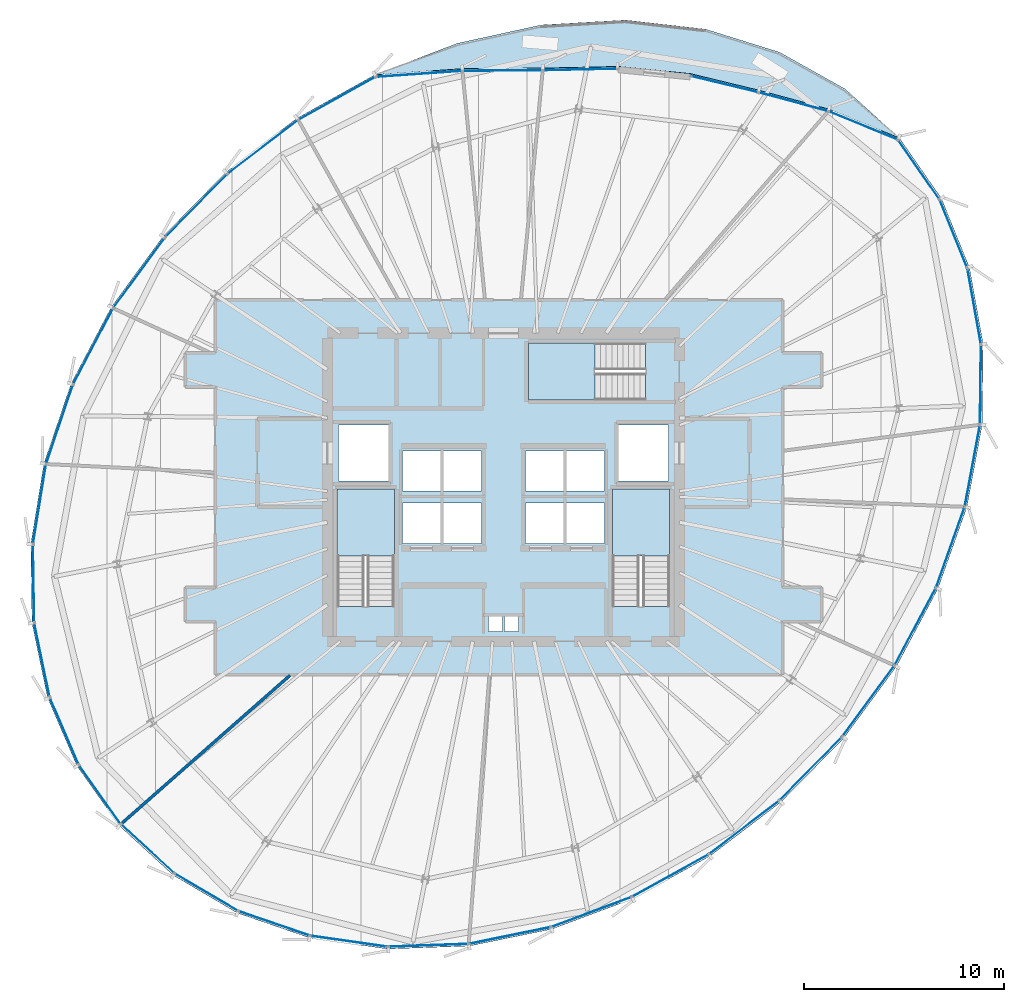
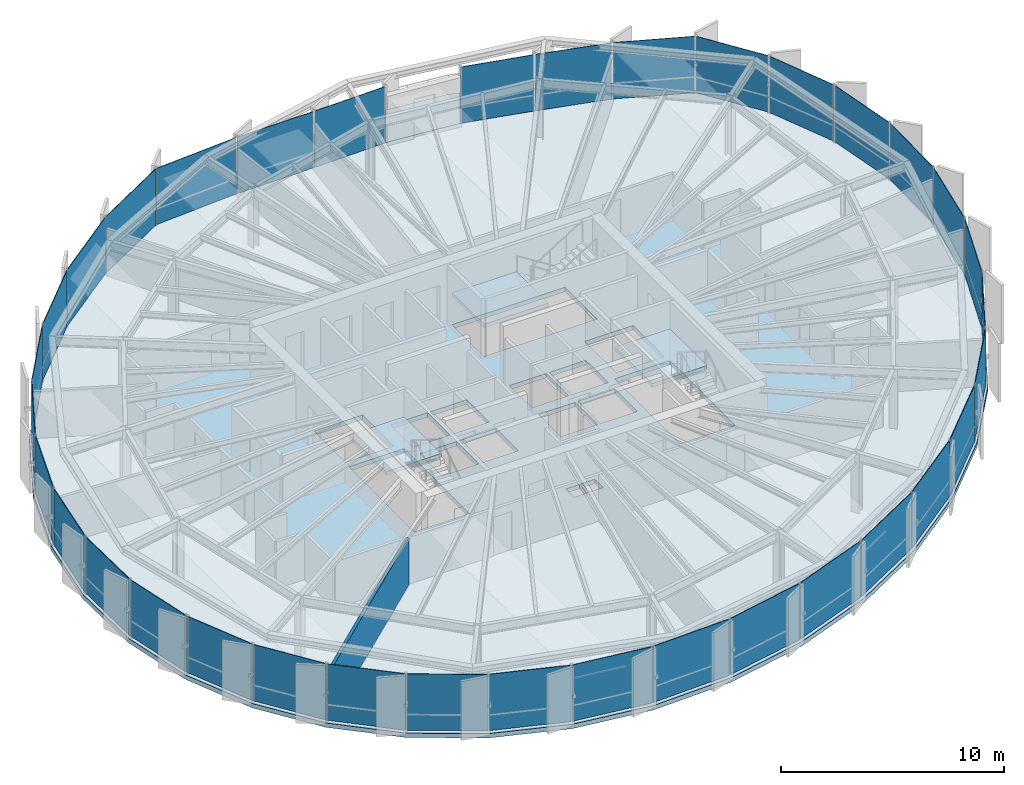
# One storey, part 31 of 37: 35 plates, 5 slabs, 1 wall, 10 elements without a shape of their own.
"""IFC4 building model written with IfcOpenShell, lengths in metres."""

from ifc_helpers import new_model, si_unit, direction, frame, frame_2d, origin, origin_2d, place, context, subcontext, project, spatial, polyline, rectangle, outline, extrude, source, transform, mapped, material, layer, layer_set, type_object, element, aggregate, save


model = new_model("IFC4")

# Units and contexts
model_context = context("Model", 3, precision=1e-05, world=origin(), true_north=direction((0.0, 1.0)))
body_context = subcontext(model_context, "Body", "Model", "MODEL_VIEW")
ifc_project = project(units=[si_unit("LENGTHUNIT", "METRE"), si_unit("AREAUNIT", "SQUARE_METRE"), si_unit("VOLUMEUNIT", "CUBIC_METRE"), si_unit("PLANEANGLEUNIT", "RADIAN"), si_unit("MASSUNIT", "GRAM", prefix="KILO"), si_unit("THERMODYNAMICTEMPERATUREUNIT", "KELVIN")], contexts=[model_context])

# Site, building, storey
site_placement = place(None, origin())
site = spatial("IfcSite", under=ifc_project, at=site_placement, CompositionType="ELEMENT")
building_placement = place(site_placement, origin())
building = spatial("IfcBuilding", under=site, at=building_placement, Name="Kethvar Cultural Tower", CompositionType="ELEMENT")
storey_placement = place(building_placement, frame((0.0, 0.0, 200.89990234375)))
storey = spatial("IfcBuildingStorey", under=building, at=storey_placement, Name="L52", CompositionType="ELEMENT", Elevation=200.89990234375)

# Stair, slab
ifc_material_1 = material(Name="Concrete C40/50", Category="concrete")
stair_type = type_object("IfcStairType", Name="ST-DOGLEG-135", PredefinedType="HALF_TURN_STAIR", material=ifc_material_1)
stair_1_placement = place(storey_placement, origin())
stair_1 = element("IfcStair", 1, at=stair_1_placement, inside=storey, type_object=stair_type, Name="L52 Core Exit Stair 1", PredefinedType="HALF_TURN_STAIR")
ifc_layer_1 = layer(ifc_material_1, 0.199951171875, Name="Concrete C40/50", Category="concrete")
ifc_layer_set_1 = layer_set([ifc_layer_1], Name="Concrete C40/50 (200 mm)")
slab_type_1 = type_object("IfcSlabType", Name="SL-STAIR-LANDING-200", PredefinedType="LANDING", material=ifc_layer_set_1)
slab_1_placement = place(storey_placement, frame((0.0, 0.0, 1.550048828125)))
slab_1 = element("IfcSlab", 2, at=slab_1_placement, type_object=slab_type_1, Name="ST-01 landing 1", PredefinedType="LANDING", context=body_context, shape_type="SweptSolid", body=[
    extrude(outline(polyline([(41.35009765625, 24.3701171875), (41.35009765625, 27.699951171875), (38.489990234375, 27.699951171875), (38.489990234375, 24.3701171875), (41.35009765625, 24.3701171875)])), origin(), (0.0, 0.0, 1.0), 0.199951171875),
])
aggregate(stair_1, [slab_1])

stair_2_placement = place(storey_placement, origin())
stair_2 = element("IfcStair", 3, at=stair_2_placement, inside=storey, type_object=stair_type, Name="L52 Core Exit Stair 2", PredefinedType="HALF_TURN_STAIR")
slab_2_placement = place(storey_placement, frame((0.0, 0.0, 1.550048828125)))
slab_2 = element("IfcSlab", 4, at=slab_2_placement, type_object=slab_type_1, Name="ST-02 landing 1", PredefinedType="LANDING", context=body_context, shape_type="SweptSolid", body=[
    extrude(outline(polyline([(55.110107421875, 24.3701171875), (55.110107421875, 27.699951171875), (52.25, 27.699951171875), (52.25, 24.3701171875), (55.110107421875, 24.3701171875)])), origin(), (0.0, 0.0, 1.0), 0.199951171875),
])
aggregate(stair_2, [slab_2])

stair_3_placement = place(storey_placement, origin())
stair_3 = element("IfcStair", 5, at=stair_3_placement, inside=storey, type_object=stair_type, Name="L52 Core Exit Stair 3", PredefinedType="HALF_TURN_STAIR")
slab_3_placement = place(storey_placement, frame((0.0, 0.0, 1.550048828125)))
slab_3 = element("IfcSlab", 6, at=slab_3_placement, type_object=slab_type_1, Name="ST-03 landing 1", PredefinedType="LANDING", context=body_context, shape_type="SweptSolid", body=[
    extrude(outline(polyline([(51.3798828125, 35.010009765625), (48.050048828125, 35.010009765625), (48.050048828125, 32.14990234375), (51.3798828125, 32.14990234375), (51.3798828125, 35.010009765625)])), origin(), (0.0, 0.0, 1.0), 0.199951171875),
])
aggregate(stair_3, [slab_3])

# Slabs
ifc_layer_2 = layer(ifc_material_1, 0.215087890625, Name="Concrete C40/50", Category="concrete")
ifc_layer_set_2 = layer_set([ifc_layer_2], Name="Concrete C40/50 (215 mm)")
slab_type_2 = type_object("IfcSlabType", Name="SL-TER-EXT", PredefinedType="FLOOR", material=ifc_layer_set_2)
slab_4_placement = place(storey_placement, frame((0.0, 0.0, -0.21484375)))
element("IfcSlab", 7, at=slab_4_placement, inside=storey, type_object=slab_type_2, Name="L52 Spiralling Sky Terrace Deck", PredefinedType="FLOOR", context=body_context, shape_type="SweptSolid", body=[
    extrude(outline(polyline([(66.598388671875, 45.254638671875), (63.874755859375, 47.71044921875), (60.608642578125, 49.54052734375), (56.907470703125, 50.6962890625), (52.896240234375, 51.15380859375), (48.710205078125, 50.910888671875), (44.489013671875, 49.986083984375), (40.368896484375, 48.414306640625), (44.744384765625, 48.718994140625), (48.762939453125, 48.749755859375), (52.544921875, 48.830078125), (56.157958984375, 48.468994140625), (59.573486328125, 47.642333984375), (63.068359375, 46.700439453125), (66.598388671875, 45.254638671875)])), origin(), (0.0, 0.0, 1.0), 0.21484375),
])
ifc_layer_3 = layer(ifc_material_1, 0.239990234375, Name="Concrete C40/50", Category="concrete")
ifc_layer_set_3 = layer_set([ifc_layer_3], Name="Concrete C40/50 (240 mm)")
slab_type_3 = type_object("IfcSlabType", Name="SL-TOW-240", PredefinedType="FLOOR", material=ifc_layer_set_3)
slab_5_placement = place(storey_placement, frame((0.0, 0.0, -0.239990234375)))
element("IfcSlab", 8, at=slab_5_placement, inside=storey, type_object=slab_type_3, Name="L52 Structural Floor Slab", PredefinedType="FLOOR", context=body_context, shape_type="SweptSolid", body=[
    extrude(outline(polyline([(66.598388671875, 45.254638671875), (63.068359375, 46.700439453125), (59.573486328125, 47.642333984375), (56.157958984375, 48.468994140625), (52.544921875, 48.830078125), (48.762939453125, 48.749755859375), (44.744384765625, 48.718994140625), (40.368896484375, 48.414306640625), (36.476806640625, 46.244873046875), (32.9248046875, 43.538330078125), (29.802001953125, 40.360107421875), (27.1953125, 36.80029296875), (25.1845703125, 32.967041015625), (23.83056640625, 28.976806640625), (23.174560546875, 24.95068359375), (23.236083984375, 21.01123046875), (24.013916015625, 17.278076171875), (25.48388671875, 13.864501953125), (27.601806640625, 10.87451171875), (30.302734375, 8.398681640625), (33.505126953125, 6.512451171875), (37.111328125, 5.27294921875), (41.011962890625, 4.718017578125), (45.088623046875, 4.8642578125), (49.217041015625, 5.70751953125), (53.272216796875, 7.221923828125), (57.130615234375, 9.36181640625), (60.675048828125, 12.061767578125), (63.8056640625, 15.24658203125), (66.445556640625, 18.8359375), (68.521484375, 22.7265625), (69.96826171875, 26.798583984375), (70.733642578125, 30.921142578125), (70.78271484375, 34.9580078125), (70.099609375, 38.77490234375), (68.693603515625, 42.24462890625), (66.598388671875, 45.254638671875)]), holes=[polyline([(38.489990234375, 21.85009765625), (38.489990234375, 27.699951171875), (41.35009765625, 27.699951171875), (41.35009765625, 21.85009765625), (38.489990234375, 21.85009765625)]), polyline([(52.25, 21.85009765625), (52.25, 27.699951171875), (55.110107421875, 27.699951171875), (55.110107421875, 21.85009765625), (52.25, 21.85009765625)]), polyline([(53.89990234375, 32.14990234375), (48.050048828125, 32.14990234375), (48.050048828125, 35.010009765625), (53.89990234375, 35.010009765625), (53.89990234375, 32.14990234375)]), polyline([(41.75, 27.0), (43.64990234375, 27.0), (43.64990234375, 25.0), (41.75, 25.0), (41.75, 27.0)]), polyline([(43.800048828125, 27.0), (45.699951171875, 27.0), (45.699951171875, 25.0), (43.800048828125, 25.0), (43.800048828125, 27.0)]), polyline([(47.89990234375, 27.0), (49.800048828125, 27.0), (49.800048828125, 25.0), (47.89990234375, 25.0), (47.89990234375, 27.0)]), polyline([(49.949951171875, 27.0), (51.85009765625, 27.0), (51.85009765625, 25.0), (49.949951171875, 25.0), (49.949951171875, 27.0)]), polyline([(41.75, 29.60009765625), (43.64990234375, 29.60009765625), (43.64990234375, 27.60009765625), (41.75, 27.60009765625), (41.75, 29.60009765625)]), polyline([(43.800048828125, 29.60009765625), (45.699951171875, 29.60009765625), (45.699951171875, 27.60009765625), (43.800048828125, 27.60009765625), (43.800048828125, 29.60009765625)]), polyline([(47.89990234375, 29.60009765625), (49.800048828125, 29.60009765625), (49.800048828125, 27.60009765625), (47.89990234375, 27.60009765625), (47.89990234375, 29.60009765625)]), polyline([(49.949951171875, 29.60009765625), (51.85009765625, 29.60009765625), (51.85009765625, 27.60009765625), (49.949951171875, 27.60009765625), (49.949951171875, 29.60009765625)]), polyline([(38.550048828125, 30.89990234375), (41.050048828125, 30.89990234375), (41.050048828125, 28.10009765625), (38.550048828125, 28.10009765625), (38.550048828125, 30.89990234375)]), polyline([(52.550048828125, 30.89990234375), (55.050048828125, 30.89990234375), (55.050048828125, 28.10009765625), (52.550048828125, 28.10009765625), (52.550048828125, 30.89990234375)]), polyline([(46.050048828125, 21.35009765625), (46.75, 21.35009765625), (46.75, 20.60009765625), (46.050048828125, 20.60009765625), (46.050048828125, 21.35009765625)]), polyline([(46.85009765625, 21.35009765625), (47.550048828125, 21.35009765625), (47.550048828125, 20.60009765625), (46.85009765625, 20.60009765625), (46.85009765625, 21.35009765625)])]), origin(), (0.0, 0.0, 1.0), 0.239990234375),
])

# Curtain wall, plate
ifc_material_2 = material(Name="Aluminium 6063-T6", Category="aluminium")
ifc_layer_4 = layer(ifc_material_2, 0.179931640625, Name="Aluminium 6063-T6", Category="aluminium")
ifc_layer_set_4 = layer_set([ifc_layer_4], Name="Aluminium 6063-T6 (180 mm)")
curtain_wall_type = type_object("IfcCurtainWallType", Name="CW-SYS-04-Z34", PredefinedType="NOTDEFINED", material=ifc_layer_set_4)
curtain_wall_1_placement = place(storey_placement, origin())
curtain_wall_1 = element("IfcCurtainWall", 9, at=curtain_wall_1_placement, inside=storey, type_object=curtain_wall_type, Name="L52 Curtain Wall Run 03", PredefinedType="NOTDEFINED")
ifc_material_3 = material(Name="Insulated Low-E Solar Glass", Category="glass")
ifc_layer_5 = layer(ifc_material_3, 0.030029296875, Name="Insulated Low-E Solar Glass", Category="glass")
ifc_layer_set_5 = layer_set([ifc_layer_5], Name="Insulated Low-E Solar Glass (30 mm)")
plate_type = type_object("IfcPlateType", Name="CW-SYS-04-Z34-PNL", PredefinedType="CURTAIN_PANEL", material=ifc_layer_set_5)
shared_shape_1 = source(origin(), body_context, "Body", "SweptSolid", [
    extrude(rectangle(XDim=4.32568359375, YDim=0.030029296875, at=origin_2d()), origin(), (0.0, 0.0, 1.0), 3.080078125),
])
plate_1_placement = place(storey_placement, frame((28.58740234375, 38.51513671875, 0.090087890625), z_axis=(0.0, 0.0, 1.0), x_axis=(-0.590760581993, -0.806846909124, 0.0)))
plate_1 = element("IfcPlate", 10, at=plate_1_placement, type_object=plate_type, Name="CW-L52-R03 Vision Glazing Panel 1", PredefinedType="CURTAIN_PANEL", context=body_context, shape_type="MappedRepresentation", body=[
    mapped(shared_shape_1, transform((0.0, 0.0, 0.0), scale=1.0)),
])

curtain_wall_2_placement = place(storey_placement, origin())
curtain_wall_2 = element("IfcCurtainWall", 11, at=curtain_wall_2_placement, inside=storey, type_object=curtain_wall_type, Name="L52 Curtain Wall Run 05", PredefinedType="NOTDEFINED")
plate_2_placement = place(storey_placement, frame((55.14794921875, 8.387939453125, 0.090087890625), z_axis=(0.0, 0.0, 1.0), x_axis=(0.874526614256, 0.48497752624, 0.0)))
plate_2 = element("IfcPlate", 12, at=plate_2_placement, type_object=plate_type, Name="CW-L52-R05 Vision Glazing Panel 4", PredefinedType="CURTAIN_PANEL", context=body_context, shape_type="MappedRepresentation", body=[
    mapped(shared_shape_1, transform((0.0, 0.0, 0.0), scale=1.0)),
])

curtain_wall_3_placement = place(storey_placement, origin())
curtain_wall_3 = element("IfcCurtainWall", 13, at=curtain_wall_3_placement, inside=storey, type_object=curtain_wall_type, Name="L52 Curtain Wall Run 06", PredefinedType="NOTDEFINED")
shared_shape_2 = source(origin(), body_context, "Body", "SweptSolid", [
    extrude(rectangle(XDim=3.791015625, YDim=0.030029296875, at=origin_2d()), origin(), (0.0, 0.0, 1.0), 3.080078125),
])
plate_3_placement = place(storey_placement, frame((70.3330078125, 36.84716796875, 0.090087890625), z_axis=(0.0, 0.0, 1.0), x_axis=(-0.176122718475, 0.98436821771, 0.0)))
plate_3 = element("IfcPlate", 14, at=plate_3_placement, type_object=plate_type, Name="CW-L52-R06 Vision Glazing Panel 6", PredefinedType="CURTAIN_PANEL", context=body_context, shape_type="MappedRepresentation", body=[
    mapped(shared_shape_2, transform((0.0, 0.0, 0.0), scale=1.0)),
])

# Curtain wall, plates
curtain_wall_4_placement = place(storey_placement, origin())
curtain_wall_4 = element("IfcCurtainWall", 15, at=curtain_wall_4_placement, inside=storey, type_object=curtain_wall_type, Name="L52 Curtain Wall Run 01", PredefinedType="NOTDEFINED")
shared_shape_3 = source(origin(), body_context, "Body", "SweptSolid", [
    extrude(rectangle(XDim=3.72802734375, YDim=0.030029296875, at=origin_2d()), origin(), (0.0, 0.0, 1.0), 3.080078125),
])
plate_4_placement = place(storey_placement, frame((64.791748046875, 45.875732421875, 0.090087890625), z_axis=(0.0, 0.0, 1.0), x_axis=(-0.925388430153, 0.379020122605, 0.0)))
plate_4 = element("IfcPlate", 16, at=plate_4_placement, type_object=plate_type, Name="CW-L52-R01 Vision Glazing Panel 1", PredefinedType="CURTAIN_PANEL", context=body_context, shape_type="MappedRepresentation", body=[
    mapped(shared_shape_3, transform((0.0, 0.0, 0.0), scale=1.0)),
])
shared_shape_4 = source(origin(), body_context, "Body", "SweptSolid", [
    extrude(rectangle(XDim=3.533203125, YDim=0.030029296875, at=origin_2d()), origin(), (0.0, 0.0, 1.0), 3.080078125),
])
plate_5_placement = place(storey_placement, frame((61.29248046875, 47.065185546875, 0.090087890625), z_axis=(0.0, 0.0, 1.0), x_axis=(-0.965545339816, 0.260234887669, 0.0)))
plate_5 = element("IfcPlate", 17, at=plate_5_placement, type_object=plate_type, Name="CW-L52-R01 Vision Glazing Panel 2", PredefinedType="CURTAIN_PANEL", context=body_context, shape_type="MappedRepresentation", body=[
    mapped(shared_shape_4, transform((0.0, 0.0, 0.0), scale=1.0)),
])
shared_shape_5 = source(origin(), body_context, "Body", "SweptSolid", [
    extrude(rectangle(XDim=3.427978515625, YDim=0.030029296875, at=origin_2d()), origin(), (0.0, 0.0, 1.0), 3.080078125),
])
plate_6_placement = place(storey_placement, frame((57.83984375, 47.94873046875, 0.090087890625), z_axis=(0.0, 0.0, 1.0), x_axis=(-0.971932265296, 0.235260858785, 0.0)))
plate_6 = element("IfcPlate", 18, at=plate_6_placement, type_object=plate_type, Name="CW-L52-R01 Vision Glazing Panel 3", PredefinedType="CURTAIN_PANEL", context=body_context, shape_type="MappedRepresentation", body=[
    mapped(shared_shape_5, transform((0.0, 0.0, 0.0), scale=1.0)),
])
aggregate(curtain_wall_4, [plate_4, plate_5, plate_6])

curtain_wall_5_placement = place(storey_placement, origin())
curtain_wall_5 = element("IfcCurtainWall", 19, at=curtain_wall_5_placement, inside=storey, type_object=curtain_wall_type, Name="L52 Curtain Wall Run 02", PredefinedType="NOTDEFINED")
shared_shape_6 = source(origin(), body_context, "Body", "SweptSolid", [
    extrude(rectangle(XDim=3.6962890625, YDim=0.030029296875, at=origin_2d()), origin(), (0.0, 0.0, 1.0), 3.080078125),
])
plate_7_placement = place(storey_placement, frame((50.65625, 48.679931640625, 0.090087890625), z_axis=(0.0, 0.0, 1.0), x_axis=(-0.999773683734, -0.021273958556, 0.0)))
plate_7 = element("IfcPlate", 20, at=plate_7_placement, type_object=plate_type, Name="CW-L52-R02 Vision Glazing Panel 1", PredefinedType="CURTAIN_PANEL", context=body_context, shape_type="MappedRepresentation", body=[
    mapped(shared_shape_6, transform((0.0, 0.0, 0.0), scale=1.0)),
])
shared_shape_7 = source(origin(), body_context, "Body", "SweptSolid", [
    extrude(rectangle(XDim=3.93212890625, YDim=0.030029296875, at=origin_2d()), origin(), (0.0, 0.0, 1.0), 3.080078125),
])
plate_8_placement = place(storey_placement, frame((46.75439453125, 48.624267578125, 0.090087890625), z_axis=(0.0, 0.0, 1.0), x_axis=(-0.99997078063, -0.007644467667, 0.0)))
plate_8 = element("IfcPlate", 21, at=plate_8_placement, type_object=plate_type, Name="CW-L52-R02 Vision Glazing Panel 2", PredefinedType="CURTAIN_PANEL", context=body_context, shape_type="MappedRepresentation", body=[
    mapped(shared_shape_7, transform((0.0, 0.0, 0.0), scale=1.0)),
])
shared_shape_8 = source(origin(), body_context, "Body", "SweptSolid", [
    extrude(rectangle(XDim=4.2998046875, YDim=0.030029296875, at=origin_2d()), origin(), (0.0, 0.0, 1.0), 3.080078125),
])
plate_9_placement = place(storey_placement, frame((42.564208984375, 48.456787109375, 0.090087890625), z_axis=(0.0, 0.0, 1.0), x_axis=(-0.997582278276, -0.069495309699, 0.0)))
plate_9 = element("IfcPlate", 22, at=plate_9_placement, type_object=plate_type, Name="CW-L52-R02 Vision Glazing Panel 3", PredefinedType="CURTAIN_PANEL", context=body_context, shape_type="MappedRepresentation", body=[
    mapped(shared_shape_8, transform((0.0, 0.0, 0.0), scale=1.0)),
])
shared_shape_9 = source(origin(), body_context, "Body", "SweptSolid", [
    extrude(rectangle(XDim=4.369384765625, YDim=0.030029296875, at=origin_2d()), origin(), (0.0, 0.0, 1.0), 3.080078125),
])
plate_10_placement = place(storey_placement, frame((38.476318359375, 47.2333984375, 0.090087890625), z_axis=(0.0, 0.0, 1.0), x_axis=(-0.873483471984, -0.486853801639, 0.0)))
plate_10 = element("IfcPlate", 23, at=plate_10_placement, type_object=plate_type, Name="CW-L52-R02 Vision Glazing Panel 4", PredefinedType="CURTAIN_PANEL", context=body_context, shape_type="MappedRepresentation", body=[
    mapped(shared_shape_9, transform((0.0, 0.0, 0.0), scale=1.0)),
])
plate_11_placement = place(storey_placement, frame((31.44189453125, 41.8720703125, 0.090087890625), z_axis=(0.0, 0.0, 1.0), x_axis=(-0.700884366735, -0.713274915068, 0.0)))
plate_11 = element("IfcPlate", 24, at=plate_11_placement, type_object=plate_type, Name="CW-L52-R02 Vision Glazing Panel 6", PredefinedType="CURTAIN_PANEL", context=body_context, shape_type="MappedRepresentation", body=[
    mapped(shared_shape_9, transform((0.0, 0.0, 0.0), scale=1.0)),
])

# Plate
plate_12_placement = place(storey_placement, frame((58.836181640625, 10.79931640625, 0.090087890625), z_axis=(0.0, 0.0, 1.0), x_axis=(0.795494633356, 0.605960632634, 0.0)))
plate_12 = element("IfcPlate", 25, at=plate_12_placement, type_object=plate_type, Name="CW-L52-R05 Vision Glazing Panel 5", PredefinedType="CURTAIN_PANEL", context=body_context, shape_type="MappedRepresentation", body=[
    mapped(shared_shape_9, transform((0.0, 0.0, 0.0), scale=1.0)),
])

shared_shape_10 = source(origin(), body_context, "Body", "SweptSolid", [
    extrude(rectangle(XDim=4.37939453125, YDim=0.030029296875, at=origin_2d()), origin(), (0.0, 0.0, 1.0), 3.080078125),
])
plate_13_placement = place(storey_placement, frame((34.767578125, 44.80419921875, 0.090087890625), z_axis=(0.0, 0.0, 1.0), x_axis=(-0.795399439469, -0.606085581162, 0.0)))
plate_13 = element("IfcPlate", 26, at=plate_13_placement, type_object=plate_type, Name="CW-L52-R02 Vision Glazing Panel 5", PredefinedType="CURTAIN_PANEL", context=body_context, shape_type="MappedRepresentation", body=[
    mapped(shared_shape_10, transform((0.0, 0.0, 0.0), scale=1.0)),
])

aggregate(curtain_wall_5, [plate_7, plate_8, plate_9, plate_10, plate_13, plate_11])

plate_14_placement = place(storey_placement, frame((62.161865234375, 13.731201171875, 0.090087890625), z_axis=(0.0, 0.0, 1.0), x_axis=(0.700983951869, 0.713177046197, 0.0)))
plate_14 = element("IfcPlate", 27, at=plate_14_placement, type_object=plate_type, Name="CW-L52-R05 Vision Glazing Panel 6", PredefinedType="CURTAIN_PANEL", context=body_context, shape_type="MappedRepresentation", body=[
    mapped(shared_shape_10, transform((0.0, 0.0, 0.0), scale=1.0)),
])

shared_shape_11 = source(origin(), body_context, "Body", "SweptSolid", [
    extrude(rectangle(XDim=4.2421875, YDim=0.030029296875, at=origin_2d()), origin(), (0.0, 0.0, 1.0), 3.080078125),
])
plate_15_placement = place(storey_placement, frame((26.287353515625, 34.83251953125, 0.090087890625), z_axis=(0.0, 0.0, 1.0), x_axis=(-0.464532956732, -0.885555832294, 0.0)))
plate_15 = element("IfcPlate", 28, at=plate_15_placement, type_object=plate_type, Name="CW-L52-R03 Vision Glazing Panel 2", PredefinedType="CURTAIN_PANEL", context=body_context, shape_type="MappedRepresentation", body=[
    mapped(shared_shape_11, transform((0.0, 0.0, 0.0), scale=1.0)),
])

plate_16_placement = place(storey_placement, frame((51.2060546875, 6.56787109375, 0.090087890625), z_axis=(0.0, 0.0, 1.0), x_axis=(0.936794377618, 0.349880399656, 0.0)))
plate_16 = element("IfcPlate", 29, at=plate_16_placement, type_object=plate_type, Name="CW-L52-R05 Vision Glazing Panel 3", PredefinedType="CURTAIN_PANEL", context=body_context, shape_type="MappedRepresentation", body=[
    mapped(shared_shape_11, transform((0.0, 0.0, 0.0), scale=1.0)),
])

shared_shape_12 = source(origin(), body_context, "Body", "SweptSolid", [
    extrude(rectangle(XDim=4.127197265625, YDim=0.030029296875, at=origin_2d()), origin(), (0.0, 0.0, 1.0), 3.080078125),
])
plate_17_placement = place(storey_placement, frame((24.61181640625, 30.9365234375, 0.090087890625), z_axis=(0.0, 0.0, 1.0), x_axis=(-0.321323773565, -0.946969393667, 0.0)))
plate_17 = element("IfcPlate", 30, at=plate_17_placement, type_object=plate_type, Name="CW-L52-R03 Vision Glazing Panel 3", PredefinedType="CURTAIN_PANEL", context=body_context, shape_type="MappedRepresentation", body=[
    mapped(shared_shape_12, transform((0.0, 0.0, 0.0), scale=1.0)),
])

shared_shape_13 = source(origin(), body_context, "Body", "SweptSolid", [
    extrude(rectangle(XDim=3.992919921875, YDim=0.030029296875, at=origin_2d()), origin(), (0.0, 0.0, 1.0), 3.080078125),
])
plate_18_placement = place(storey_placement, frame((23.611083984375, 26.94580078125, 0.090087890625), z_axis=(0.0, 0.0, 1.0), x_axis=(-0.16084592274, -0.986979528226, 0.0)))
plate_18 = element("IfcPlate", 31, at=plate_18_placement, type_object=plate_type, Name="CW-L52-R03 Vision Glazing Panel 4", PredefinedType="CURTAIN_PANEL", context=body_context, shape_type="MappedRepresentation", body=[
    mapped(shared_shape_13, transform((0.0, 0.0, 0.0), scale=1.0)),
])

plate_19_placement = place(storey_placement, frame((43.04638671875, 4.90087890625, 0.090087890625), z_axis=(0.0, 0.0, 1.0), x_axis=(0.999356865459, 0.0358588268, 0.0)))
plate_19 = element("IfcPlate", 32, at=plate_19_placement, type_object=plate_type, Name="CW-L52-R05 Vision Glazing Panel 1", PredefinedType="CURTAIN_PANEL", context=body_context, shape_type="MappedRepresentation", body=[
    mapped(shared_shape_13, transform((0.0, 0.0, 0.0), scale=1.0)),
])

shared_shape_14 = source(origin(), body_context, "Body", "SweptSolid", [
    extrude(rectangle(XDim=3.853515625, YDim=0.030029296875, at=origin_2d()), origin(), (0.0, 0.0, 1.0), 3.080078125),
])
plate_20_placement = place(storey_placement, frame((23.3154296875, 22.982666015625, 0.090087890625), z_axis=(0.0, 0.0, 1.0), x_axis=(0.015654963872, -0.999877453544, 0.0)))
plate_20 = element("IfcPlate", 33, at=plate_20_placement, type_object=plate_type, Name="CW-L52-R03 Vision Glazing Panel 5", PredefinedType="CURTAIN_PANEL", context=body_context, shape_type="MappedRepresentation", body=[
    mapped(shared_shape_14, transform((0.0, 0.0, 0.0), scale=1.0)),
])

# Curtain wall, plate
curtain_wall_6_placement = place(storey_placement, origin())
curtain_wall_6 = element("IfcCurtainWall", 34, at=curtain_wall_6_placement, inside=storey, type_object=curtain_wall_type, Name="L52 Curtain Wall Run 04", PredefinedType="NOTDEFINED")
plate_21_placement = place(storey_placement, frame((39.0771484375, 5.104248046875, 0.090087890625), z_axis=(0.0, 0.0, 1.0), x_axis=(0.990028575494, -0.140866673507, 0.0)))
plate_21 = element("IfcPlate", 35, at=plate_21_placement, type_object=plate_type, Name="CW-L52-R04 Vision Glazing Panel 6", PredefinedType="CURTAIN_PANEL", context=body_context, shape_type="MappedRepresentation", body=[
    mapped(shared_shape_14, transform((0.0, 0.0, 0.0), scale=1.0)),
])

# Plate
shared_shape_15 = source(origin(), body_context, "Body", "SweptSolid", [
    extrude(rectangle(XDim=3.726806640625, YDim=0.030029296875, at=origin_2d()), origin(), (0.0, 0.0, 1.0), 3.080078125),
])
plate_22_placement = place(storey_placement, frame((23.732666015625, 19.1669921875, 0.090087890625), z_axis=(0.0, 0.0, 1.0), x_axis=(0.203949317292, -0.978981448229, 0.0)))
plate_22 = element("IfcPlate", 36, at=plate_22_placement, type_object=plate_type, Name="CW-L52-R03 Vision Glazing Panel 6", PredefinedType="CURTAIN_PANEL", context=body_context, shape_type="MappedRepresentation", body=[
    mapped(shared_shape_15, transform((0.0, 0.0, 0.0), scale=1.0)),
])

aggregate(curtain_wall_1, [plate_1, plate_15, plate_17, plate_18, plate_20, plate_22])

shared_shape_16 = source(origin(), body_context, "Body", "SweptSolid", [
    extrude(rectangle(XDim=3.630126953125, YDim=0.030029296875, at=origin_2d()), origin(), (0.0, 0.0, 1.0), 3.080078125),
])
plate_23_placement = place(storey_placement, frame((24.849853515625, 15.61474609375, 0.090087890625), z_axis=(0.0, 0.0, 1.0), x_axis=(0.395545502563, -0.918446381343, 0.0)))
plate_23 = element("IfcPlate", 37, at=plate_23_placement, type_object=plate_type, Name="CW-L52-R04 Vision Glazing Panel 1", PredefinedType="CURTAIN_PANEL", context=body_context, shape_type="MappedRepresentation", body=[
    mapped(shared_shape_16, transform((0.0, 0.0, 0.0), scale=1.0)),
])

plate_24_placement = place(storey_placement, frame((31.959716796875, 7.55029296875, 0.090087890625), z_axis=(0.0, 0.0, 1.0), x_axis=(0.861629160442, -0.507538362961, 0.0)))
plate_24 = element("IfcPlate", 38, at=plate_24_placement, type_object=plate_type, Name="CW-L52-R04 Vision Glazing Panel 4", PredefinedType="CURTAIN_PANEL", context=body_context, shape_type="MappedRepresentation", body=[
    mapped(shared_shape_16, transform((0.0, 0.0, 0.0), scale=1.0)),
])

shared_shape_17 = source(origin(), body_context, "Body", "SweptSolid", [
    extrude(rectangle(XDim=3.57763671875, YDim=0.030029296875, at=origin_2d()), origin(), (0.0, 0.0, 1.0), 3.080078125),
])
plate_25_placement = place(storey_placement, frame((26.632568359375, 12.43310546875, 0.090087890625), z_axis=(0.0, 0.0, 1.0), x_axis=(0.577971573055, -0.81605689798, 0.0)))
plate_25 = element("IfcPlate", 39, at=plate_25_placement, type_object=plate_type, Name="CW-L52-R04 Vision Glazing Panel 2", PredefinedType="CURTAIN_PANEL", context=body_context, shape_type="MappedRepresentation", body=[
    mapped(shared_shape_17, transform((0.0, 0.0, 0.0), scale=1.0)),
])

plate_26_placement = place(storey_placement, frame((29.026611328125, 9.717529296875, 0.090087890625), z_axis=(0.0, 0.0, 1.0), x_axis=(0.737194792393, -0.675680277993, 0.0)))
plate_26 = element("IfcPlate", 40, at=plate_26_placement, type_object=plate_type, Name="CW-L52-R04 Vision Glazing Panel 3", PredefinedType="CURTAIN_PANEL", context=body_context, shape_type="MappedRepresentation", body=[
    mapped(shared_shape_17, transform((0.0, 0.0, 0.0), scale=1.0)),
])

shared_shape_18 = source(origin(), body_context, "Body", "SweptSolid", [
    extrude(rectangle(XDim=3.72705078125, YDim=0.030029296875, at=origin_2d()), origin(), (0.0, 0.0, 1.0), 3.080078125),
])
plate_27_placement = place(storey_placement, frame((35.343994140625, 5.99658203125, 0.090087890625), z_axis=(0.0, 0.0, 1.0), x_axis=(0.945700259682, -0.325040026515, 0.0)))
plate_27 = element("IfcPlate", 41, at=plate_27_placement, type_object=plate_type, Name="CW-L52-R04 Vision Glazing Panel 5", PredefinedType="CURTAIN_PANEL", context=body_context, shape_type="MappedRepresentation", body=[
    mapped(shared_shape_18, transform((0.0, 0.0, 0.0), scale=1.0)),
])

aggregate(curtain_wall_6, [plate_23, plate_25, plate_26, plate_24, plate_27, plate_21])

shared_shape_19 = source(origin(), body_context, "Body", "SweptSolid", [
    extrude(rectangle(XDim=4.12744140625, YDim=0.030029296875, at=origin_2d()), origin(), (0.0, 0.0, 1.0), 3.080078125),
])
plate_28_placement = place(storey_placement, frame((47.130859375, 5.3935546875, 0.090087890625), z_axis=(0.0, 0.0, 1.0), x_axis=(0.979767819194, 0.200137503911, 0.0)))
plate_28 = element("IfcPlate", 42, at=plate_28_placement, type_object=plate_type, Name="CW-L52-R05 Vision Glazing Panel 2", PredefinedType="CURTAIN_PANEL", context=body_context, shape_type="MappedRepresentation", body=[
    mapped(shared_shape_19, transform((0.0, 0.0, 0.0), scale=1.0)),
])

aggregate(curtain_wall_2, [plate_19, plate_28, plate_16, plate_2, plate_12, plate_14])

shared_shape_20 = source(origin(), body_context, "Body", "SweptSolid", [
    extrude(rectangle(XDim=4.369140625, YDim=0.030029296875, at=origin_2d()), origin(), (0.0, 0.0, 1.0), 3.080078125),
])
plate_29_placement = place(storey_placement, frame((65.037109375, 17.1064453125, 0.090087890625), z_axis=(0.0, 0.0, 1.0), x_axis=(0.592505381884, 0.805566491631, 0.0)))
plate_29 = element("IfcPlate", 43, at=plate_29_placement, type_object=plate_type, Name="CW-L52-R06 Vision Glazing Panel 1", PredefinedType="CURTAIN_PANEL", context=body_context, shape_type="MappedRepresentation", body=[
    mapped(shared_shape_20, transform((0.0, 0.0, 0.0), scale=1.0)),
])

shared_shape_21 = source(origin(), body_context, "Body", "SweptSolid", [
    extrude(rectangle(XDim=4.323486328125, YDim=0.030029296875, at=origin_2d()), origin(), (0.0, 0.0, 1.0), 3.080078125),
])
plate_30_placement = place(storey_placement, frame((67.386474609375, 20.8330078125, 0.090087890625), z_axis=(0.0, 0.0, 1.0), x_axis=(0.470734729652, 0.882274795231, 0.0)))
plate_30 = element("IfcPlate", 44, at=plate_30_placement, type_object=plate_type, Name="CW-L52-R06 Vision Glazing Panel 2", PredefinedType="CURTAIN_PANEL", context=body_context, shape_type="MappedRepresentation", body=[
    mapped(shared_shape_21, transform((0.0, 0.0, 0.0), scale=1.0)),
])

shared_shape_22 = source(origin(), body_context, "Body", "SweptSolid", [
    extrude(rectangle(XDim=4.235107421875, YDim=0.030029296875, at=origin_2d()), origin(), (0.0, 0.0, 1.0), 3.080078125),
])
plate_31_placement = place(storey_placement, frame((69.14111328125, 24.79931640625, 0.090087890625), z_axis=(0.0, 0.0, 1.0), x_axis=(0.334777361746, 0.94229725568, 0.0)))
plate_31 = element("IfcPlate", 45, at=plate_31_placement, type_object=plate_type, Name="CW-L52-R06 Vision Glazing Panel 3", PredefinedType="CURTAIN_PANEL", context=body_context, shape_type="MappedRepresentation", body=[
    mapped(shared_shape_22, transform((0.0, 0.0, 0.0), scale=1.0)),
])

shared_shape_23 = source(origin(), body_context, "Body", "SweptSolid", [
    extrude(rectangle(XDim=4.1064453125, YDim=0.030029296875, at=origin_2d()), origin(), (0.0, 0.0, 1.0), 3.080078125),
])
plate_32_placement = place(storey_placement, frame((70.242919921875, 28.8798828125, 0.090087890625), z_axis=(0.0, 0.0, 1.0), x_axis=(0.182561575141, 0.983194421914, 0.0)))
plate_32 = element("IfcPlate", 46, at=plate_32_placement, type_object=plate_type, Name="CW-L52-R06 Vision Glazing Panel 4", PredefinedType="CURTAIN_PANEL", context=body_context, shape_type="MappedRepresentation", body=[
    mapped(shared_shape_23, transform((0.0, 0.0, 0.0), scale=1.0)),
])

shared_shape_24 = source(origin(), body_context, "Body", "SweptSolid", [
    extrude(rectangle(XDim=3.950927734375, YDim=0.030029296875, at=origin_2d()), origin(), (0.0, 0.0, 1.0), 3.080078125),
])
plate_33_placement = place(storey_placement, frame((70.648193359375, 32.94091796875, 0.090087890625), z_axis=(0.0, 0.0, 1.0), x_axis=(0.012112288829, 0.999926643539, 0.0)))
plate_33 = element("IfcPlate", 47, at=plate_33_placement, type_object=plate_type, Name="CW-L52-R06 Vision Glazing Panel 5", PredefinedType="CURTAIN_PANEL", context=body_context, shape_type="MappedRepresentation", body=[
    mapped(shared_shape_24, transform((0.0, 0.0, 0.0), scale=1.0)),
])

aggregate(curtain_wall_3, [plate_29, plate_30, plate_31, plate_32, plate_33, plate_3])

# Curtain wall, plates
curtain_wall_7_placement = place(storey_placement, origin())
curtain_wall_7 = element("IfcCurtainWall", 48, at=curtain_wall_7_placement, inside=storey, type_object=curtain_wall_type, Name="L52 Curtain Wall Run 07", PredefinedType="NOTDEFINED")
shared_shape_25 = source(origin(), body_context, "Body", "SweptSolid", [
    extrude(rectangle(XDim=3.657470703125, YDim=0.030029296875, at=origin_2d()), origin(), (0.0, 0.0, 1.0), 3.080078125),
])
plate_34_placement = place(storey_placement, frame((69.294677734375, 40.468505859375, 0.090087890625), z_axis=(0.0, 0.0, 1.0), x_axis=(-0.375577332499, 0.926791059146, 0.0)))
plate_34 = element("IfcPlate", 49, at=plate_34_placement, type_object=plate_type, Name="CW-L52-R07 Vision Glazing Panel 1", PredefinedType="CURTAIN_PANEL", context=body_context, shape_type="MappedRepresentation", body=[
    mapped(shared_shape_25, transform((0.0, 0.0, 0.0), scale=1.0)),
])
shared_shape_26 = source(origin(), body_context, "Body", "SweptSolid", [
    extrude(rectangle(XDim=3.580810546875, YDim=0.030029296875, at=origin_2d()), origin(), (0.0, 0.0, 1.0), 3.080078125),
])
plate_35_placement = place(storey_placement, frame((67.5556640625, 43.686767578125, 0.090087890625), z_axis=(0.0, 0.0, 1.0), x_axis=(-0.571315348104, 0.820730633656, 0.0)))
plate_35 = element("IfcPlate", 50, at=plate_35_placement, type_object=plate_type, Name="CW-L52-R07 Vision Glazing Panel 2", PredefinedType="CURTAIN_PANEL", context=body_context, shape_type="MappedRepresentation", body=[
    mapped(shared_shape_26, transform((0.0, 0.0, 0.0), scale=1.0)),
])
aggregate(curtain_wall_7, [plate_34, plate_35])

# Wall
ifc_material_4 = material(Name="Gypsum Acoustic Partition")
ifc_layer_6 = layer(ifc_material_4, 0.14990234375, Name="Gypsum Acoustic Partition")
ifc_layer_set_6 = layer_set([ifc_layer_6], Name="Gypsum Acoustic Partition (150 mm)")
wall_type = type_object("IfcWallType", Name="WL-PART-150", PredefinedType="PARTITIONING", material=ifc_layer_set_6)
wall_placement = place(storey_placement, frame((36.134521484375, 18.397216796875, 0.0), z_axis=(0.0, 0.0, 1.0), x_axis=(-0.750783345077, -0.66054853626, 0.0)))
element("IfcWall", 51, at=wall_placement, inside=storey, type_object=wall_type, Name="L52 Radial Partition Wall 01", PredefinedType="PARTITIONING", context=body_context, shape_type="SweptSolid", body=[
    extrude(rectangle(XDim=11.166015625, YDim=0.14990234375, at=frame_2d((5.5830078125, 0.0))), origin(), (0.0, 0.0, 1.0), 2.59521484375),
])

save(model, "model.ifc")
